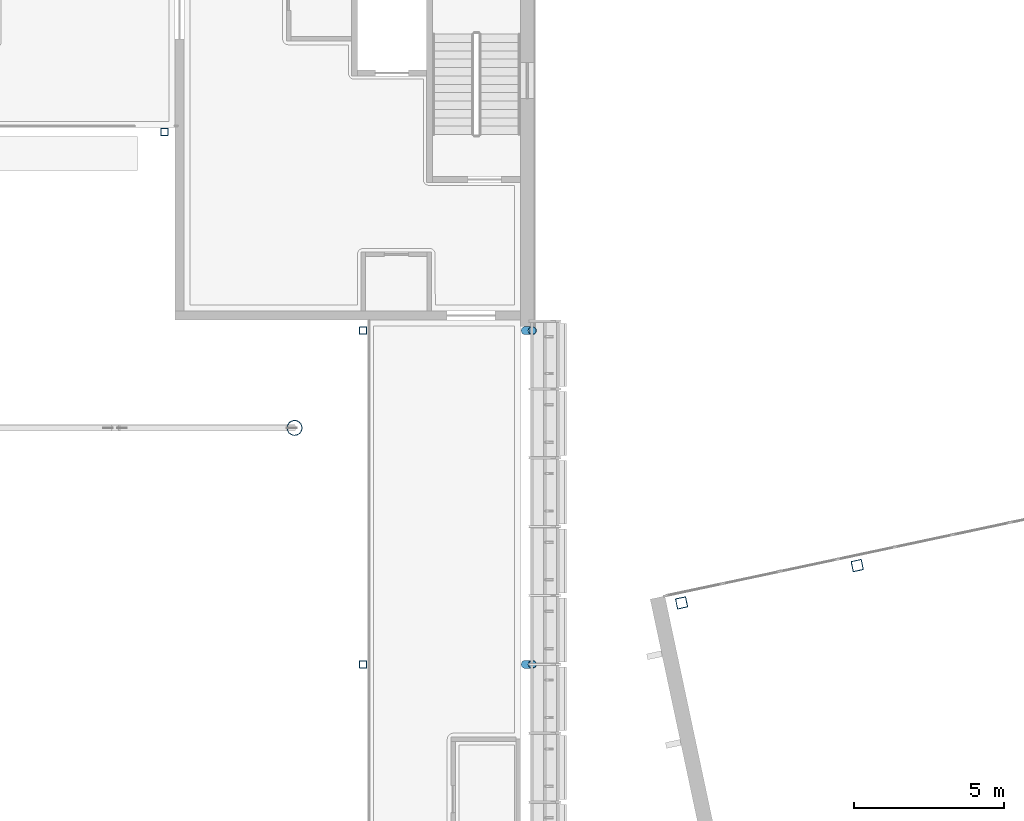
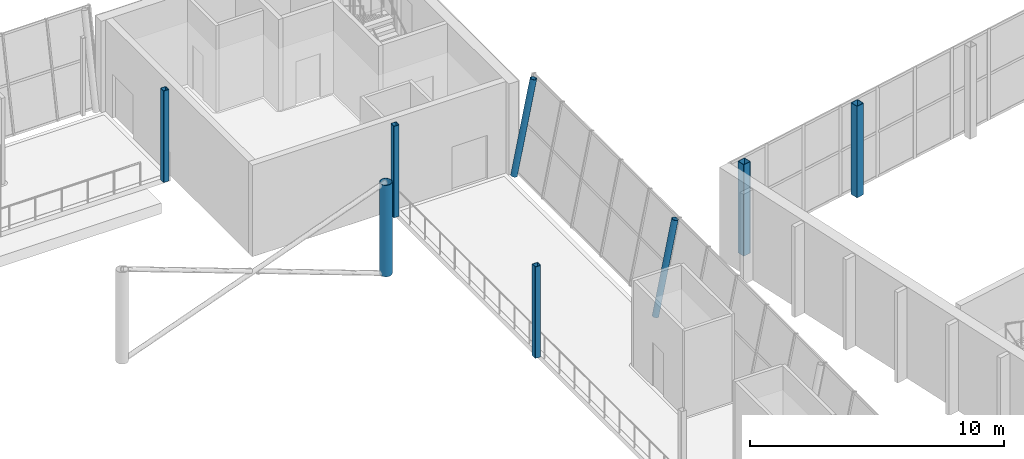
# One storey, part 23 of 115: 8 columns.
"""IFC4 building model written with IfcOpenShell, lengths in metres."""

from ifc_helpers import new_model, si_unit, direction, frame, origin, origin_2d, place, context, subcontext, project, spatial, hollow_rectangle, hollow_circle, extrude, material, material_profile, profile_set, type_object, element, save


model = new_model("IFC4")

# Units and contexts
model_context = context("Model", 3, precision=1e-05, world=origin(), true_north=direction((0.0, 1.0)))
body_context = subcontext(model_context, "Body", "Model", "MODEL_VIEW")
ifc_project = project(units=[si_unit("LENGTHUNIT", "METRE"), si_unit("AREAUNIT", "SQUARE_METRE"), si_unit("VOLUMEUNIT", "CUBIC_METRE"), si_unit("PLANEANGLEUNIT", "RADIAN"), si_unit("MASSUNIT", "GRAM", prefix="KILO")], contexts=[model_context])

# Site, building, storey
site_placement = place(None, origin())
site = spatial("IfcSite", under=ifc_project, at=site_placement, CompositionType="ELEMENT")
building_placement = place(site_placement, origin())
building = spatial("IfcBuilding", under=site, at=building_placement, Name="Windward Yard Aquatics Centre", CompositionType="ELEMENT")
storey_placement = place(building_placement, frame((0.0, 0.0, 5.0)))
storey = spatial("IfcBuildingStorey", under=building, at=storey_placement, Name="L01", CompositionType="ELEMENT", Elevation=5.0)

# Columns
ifc_material = material(Name="Steel ASTM A500 Gr C", Category="steel")
ifc_material_profile_1 = material_profile(ifc_material, hollow_rectangle(XDim=0.355712890625, YDim=0.355712890625, WallThickness=0.015869140625, InnerFilletRadius=0.008056640625, OuterFilletRadius=0.02392578125, at=origin_2d()), Name="HSS356X356X15.9")
ifc_profile_set_1 = profile_set([ifc_material_profile_1], Name="Steel ASTM A500 Gr C")
column_type_1 = type_object("IfcColumnType", Name="D column HSS356X356X15.9", PredefinedType="COLUMN", material=ifc_profile_set_1)
for number, where, z_axis, x_axis, name in (
    (1, (156.929443359375, 74.553466796875, 0.0), (0.0, 0.0, 1.0), (0.978147600734, 0.207911690818, 0.0), "D.COL.1.2.3"),
    (2, (162.79833984375, 75.801025390625, 0.0), (0.0, 0.0, 1.0), (0.978147600734, 0.207911690818, 0.0), "D.COL.2.2.3"),
):
    element("IfcColumn", number, at=place(storey_placement, frame(where, z_axis=z_axis, x_axis=x_axis)), inside=storey, type_object=column_type_1, Name=name, PredefinedType="COLUMN", context=body_context, shape_type="SweptSolid", body=[
        extrude(hollow_rectangle(XDim=0.355712890625, YDim=0.355712890625, WallThickness=0.015869140625, InnerFilletRadius=0.008056640625, OuterFilletRadius=0.02392578125, at=origin_2d()), origin(), (0.0, 0.0, 1.0), 4.39990234375),
    ])
ifc_material_profile_2 = material_profile(ifc_material, hollow_circle(Radius=0.25390625, WallThickness=0.015869140625, at=origin_2d()), Name="HSS508X15.9")
ifc_profile_set_2 = profile_set([ifc_material_profile_2], Name="Steel ASTM A500 Gr C")
column_type_2 = type_object("IfcColumnType", Name="H arch column HSS508X15.9", PredefinedType="COLUMN", material=ifc_profile_set_2)
column_placement = place(storey_placement, frame((144.0, 80.39990234375, 0.0), z_axis=(0.0, 0.0, 1.0), x_axis=(1.0, 0.0, 0.0)))
element("IfcColumn", 3, at=column_placement, inside=storey, type_object=column_type_2, Name="H.AC.N8.L01", PredefinedType="COLUMN", context=body_context, shape_type="SweptSolid", body=[
    extrude(hollow_circle(Radius=0.25390625, WallThickness=0.015869140625, at=origin_2d()), origin(), (0.0, 0.0, 1.0), 4.39990234375),
])
ifc_material_profile_3 = material_profile(ifc_material, hollow_rectangle(XDim=0.25390625, YDim=0.25390625, WallThickness=0.015869140625, InnerFilletRadius=0.008056640625, OuterFilletRadius=0.02392578125, at=origin_2d()), Name="HSS254X254X15.9")
ifc_profile_set_3 = profile_set([ifc_material_profile_3], Name="Steel ASTM A500 Gr C")
column_type_3 = type_object("IfcColumnType", Name="H inner column HSS254X254X15.9", PredefinedType="COLUMN", material=ifc_profile_set_3)
for number, where, z_axis, x_axis, name in (
    (4, (139.64990234375, 90.290283203125, 0.0), (0.0, 0.0, 1.0), (1.0, 0.0, 0.0), "H.IC.N8.L01"),
    (5, (146.290283203125, 72.5, 0.0), (0.0, 0.0, 1.0), (1.0, 0.0, 0.0), "H.IC.E4.L01"),
    (6, (146.290283203125, 83.64990234375, 0.0), (0.0, 0.0, 1.0), (1.0, 0.0, 0.0), "H.IC.E5.L01"),
):
    element("IfcColumn", number, at=place(storey_placement, frame(where, z_axis=z_axis, x_axis=x_axis)), inside=storey, type_object=column_type_3, Name=name, PredefinedType="COLUMN", context=body_context, shape_type="SweptSolid", body=[
        extrude(hollow_rectangle(XDim=0.25390625, YDim=0.25390625, WallThickness=0.015869140625, InnerFilletRadius=0.008056640625, OuterFilletRadius=0.02392578125, at=origin_2d()), origin(), (0.0, 0.0, 1.0), 4.39990234375),
    ])
ifc_material_profile_4 = material_profile(ifc_material, hollow_circle(Radius=0.136474609375, WallThickness=0.0126953125, at=origin_2d()), Name="HSS273.1X12.7")
ifc_profile_set_4 = profile_set([ifc_material_profile_4], Name="Steel ASTM A500 Gr C")
column_type_4 = type_object("IfcColumnType", Name="H tier 1 leg HSS273.1X12.7", PredefinedType="COLUMN", material=ifc_profile_set_4)
for number, where, z_axis, x_axis, name in (
    (7, (151.70556640625, 72.5, 0.02734375), (0.19937683017, 0.0, 0.979922894717), (0.0, 1.0, 0.0), "H.TL.E4.T1A.L01"),
    (8, (151.70556640625, 83.64990234375, 0.02734375), (0.19937683017, 0.0, 0.979922894717), (0.0, 1.0, 0.0), "H.TL.E5.T1A.L01"),
):
    element("IfcColumn", number, at=place(storey_placement, frame(where, z_axis=z_axis, x_axis=x_axis)), inside=storey, type_object=column_type_4, Name=name, PredefinedType="COLUMN", context=body_context, shape_type="SweptSolid", body=[
        extrude(hollow_circle(Radius=0.136474609375, WallThickness=0.0126953125, at=origin_2d()), origin(), (0.0, 0.0, 1.0), 4.462158203125),
    ])

save(model, "model.ifc")
